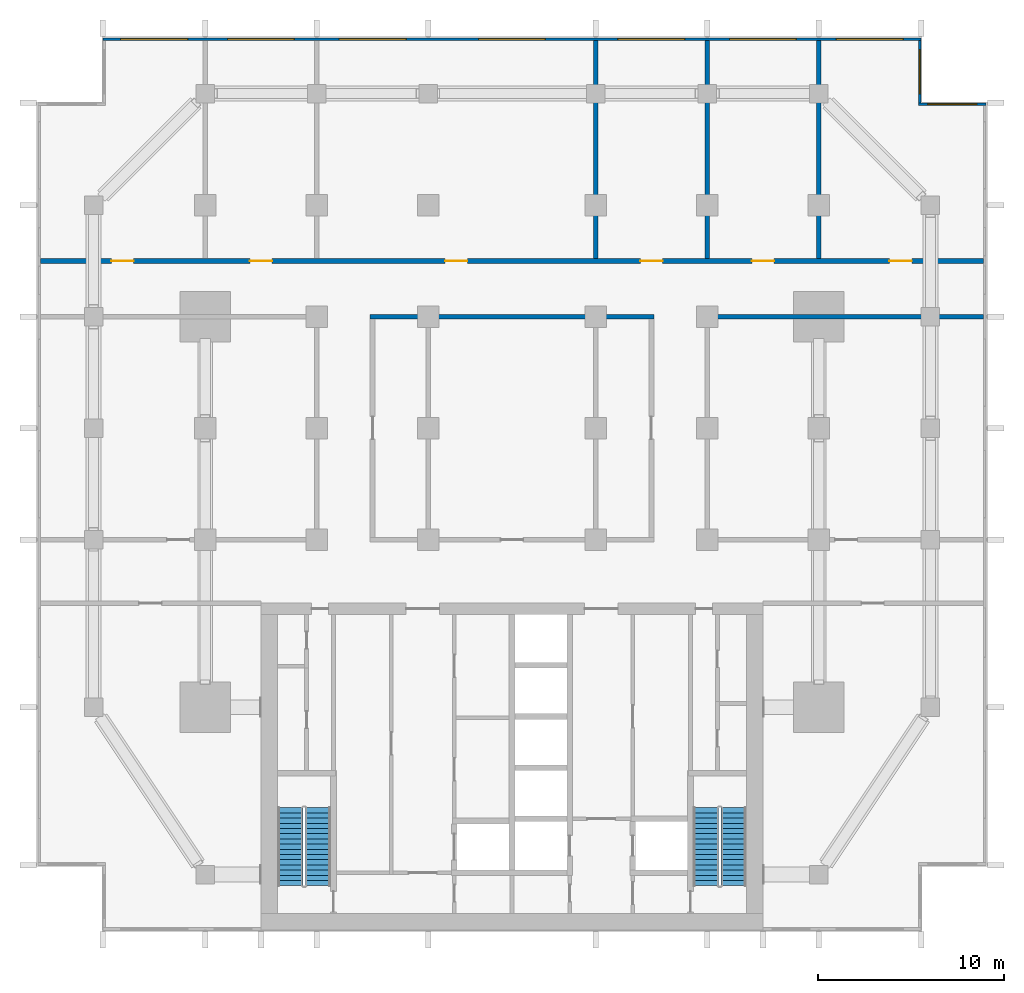
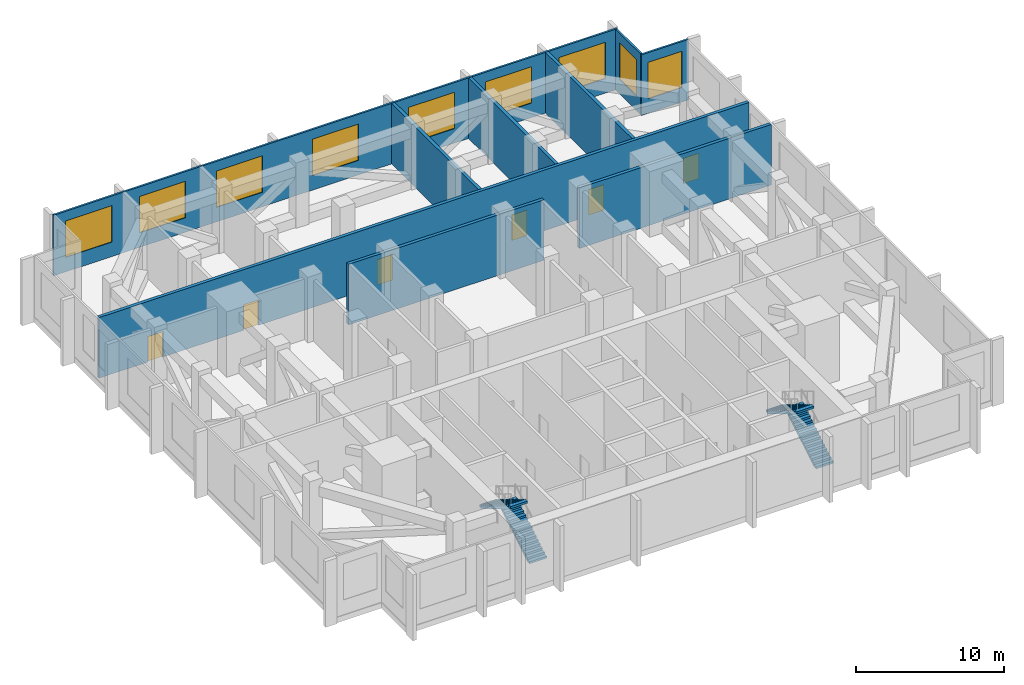
# One storey, part 5 of 12: 9 walls, 9 windows, 6 doors, 4 stair flights, 15 openings, 2 elements without a shape of their own.
"""IFC4 building model written with IfcOpenShell, lengths in metres."""

from ifc_helpers import new_model, si_unit, direction, frame, frame_2d, origin, place, context, subcontext, project, spatial, polyline, rectangle, outline, extrude, material, layer, layer_set, type_object, element, fill, aggregate, save


model = new_model("IFC4")

# Units and contexts
model_context = context("Model", 3, precision=1e-05, world=origin(), true_north=direction((0.0, 1.0)))
body_context = subcontext(model_context, "Body", "Model", "MODEL_VIEW")
ifc_project = project(units=[si_unit("LENGTHUNIT", "METRE"), si_unit("AREAUNIT", "SQUARE_METRE"), si_unit("VOLUMEUNIT", "CUBIC_METRE"), si_unit("PLANEANGLEUNIT", "RADIAN"), si_unit("MASSUNIT", "GRAM", prefix="KILO")], contexts=[model_context])

# Site, building, storey
site_placement = place(None, origin())
site = spatial("IfcSite", under=ifc_project, at=site_placement, CompositionType="ELEMENT")
building_placement = place(site_placement, origin())
building = spatial("IfcBuilding", under=site, at=building_placement, Name="Finial Court Residences", CompositionType="ELEMENT")
storey_placement = place(building_placement, frame((0.0, 0.0, 143.89990234375)))
storey = spatial("IfcBuildingStorey", under=building, at=storey_placement, Name="L35", CompositionType="ELEMENT", Elevation=143.89990234375)

# Walls
ifc_material_1 = material(Name="Fire-rated board")
ifc_layer_1 = layer(ifc_material_1, 0.050048828125)
ifc_material_2 = material(Name="Mineral wool in double frame")
ifc_layer_2 = layer(ifc_material_2, 0.14990234375)
ifc_layer_3 = layer(ifc_material_1, 0.050048828125)
ifc_layer_set_1 = layer_set([ifc_layer_1, ifc_layer_2, ifc_layer_3], Name="Plant room wall 250, 2 hour")
wall_type_1 = type_object("IfcWallType", Name="Plant room wall 250, 2 hour", PredefinedType="PARTITIONING", material=ifc_layer_set_1)
wall_1_placement = place(storey_placement, frame((-7.625, 7.5, 0.0), z_axis=(0.0, 0.0, 1.0), x_axis=(1.0, 0.0, 0.0)))
element("IfcWall", 1, at=wall_1_placement, inside=storey, type_object=wall_type_1, Name="Partition L35-006", PredefinedType="PARTITIONING", context=body_context, shape_type="SweptSolid", body=[
    extrude(rectangle(XDim=15.25, YDim=0.25, at=frame_2d((7.625, 0.0))), origin(), (0.0, 0.0, 1.0), 5.0),
])
wall_2_placement = place(storey_placement, frame((10.375, 7.5, 0.0), z_axis=(0.0, 0.0, 1.0), x_axis=(1.0, 0.0, 0.0)))
element("IfcWall", 2, at=wall_2_placement, inside=storey, type_object=wall_type_1, Name="Partition L35-007", PredefinedType="PARTITIONING", context=body_context, shape_type="SweptSolid", body=[
    extrude(rectangle(XDim=14.97509765625, YDim=0.25, at=frame_2d((7.487548828125, 0.0))), origin(), (0.0, 0.0, 1.0), 5.0),
])

# Wall, openings, doors
wall_3_placement = place(storey_placement, frame((-25.35009765625, 10.5, 0.0), z_axis=(0.0, 0.0, 1.0), x_axis=(1.0, 0.0, 0.0)))
wall_3 = element("IfcWall", 3, at=wall_3_placement, inside=storey, type_object=wall_type_1, Name="Partition L35-008", PredefinedType="PARTITIONING", context=body_context, shape_type="SweptSolid", body=[
    extrude(rectangle(XDim=50.7001953125, YDim=0.25, at=frame_2d((25.35009765625, 0.0))), origin(), (0.0, 0.0, 1.0), 5.0),
])
opening_1_placement = place(wall_3_placement, frame((3.800048828125, 0.0, 0.0)))
opening_1 = element("IfcOpeningElement", 4, at=opening_1_placement, cuts=wall_3, Name="Opening L35-D006", PredefinedType="OPENING", context=body_context, shape_type="SweptSolid", body=[
    extrude(rectangle(XDim=1.199951171875, YDim=2.10009765625, at=frame_2d((0.60009765625, 1.050048828125))), frame((0.0, 0.135009765625, 0.0), z_axis=(0.0, -1.0, 0.0), x_axis=(1.0, 0.0, 0.0)), (0.0, 0.0, 1.0), 0.27001953125),
])
opening_2_placement = place(wall_3_placement, frame((11.25, 0.0, 0.0)))
opening_2 = element("IfcOpeningElement", 5, at=opening_2_placement, cuts=wall_3, Name="Opening L35-D007", PredefinedType="OPENING", context=body_context, shape_type="SweptSolid", body=[
    extrude(rectangle(XDim=1.199951171875, YDim=2.10009765625, at=frame_2d((0.60009765625, 1.050048828125))), frame((0.0, 0.135009765625, 0.0), z_axis=(0.0, -1.0, 0.0), x_axis=(1.0, 0.0, 0.0)), (0.0, 0.0, 1.0), 0.27001953125),
])
opening_3_placement = place(wall_3_placement, frame((21.75, 0.0, 0.0)))
opening_3 = element("IfcOpeningElement", 6, at=opening_3_placement, cuts=wall_3, Name="Opening L35-D008", PredefinedType="OPENING", context=body_context, shape_type="SweptSolid", body=[
    extrude(rectangle(XDim=1.199951171875, YDim=2.10009765625, at=frame_2d((0.60009765625, 1.050048828125))), frame((0.0, 0.135009765625, 0.0), z_axis=(0.0, -1.0, 0.0), x_axis=(1.0, 0.0, 0.0)), (0.0, 0.0, 1.0), 0.27001953125),
])
opening_4_placement = place(wall_3_placement, frame((32.25, 0.0, 0.0)))
opening_4 = element("IfcOpeningElement", 7, at=opening_4_placement, cuts=wall_3, Name="Opening L35-D009", PredefinedType="OPENING", context=body_context, shape_type="SweptSolid", body=[
    extrude(rectangle(XDim=1.199951171875, YDim=2.10009765625, at=frame_2d((0.60009765625, 1.050048828125))), frame((0.0, 0.135009765625, 0.0), z_axis=(0.0, -1.0, 0.0), x_axis=(1.0, 0.0, 0.0)), (0.0, 0.0, 1.0), 0.27001953125),
])
opening_5_placement = place(wall_3_placement, frame((38.25, 0.0, 0.0)))
opening_5 = element("IfcOpeningElement", 8, at=opening_5_placement, cuts=wall_3, Name="Opening L35-D010", PredefinedType="OPENING", context=body_context, shape_type="SweptSolid", body=[
    extrude(rectangle(XDim=1.199951171875, YDim=2.10009765625, at=frame_2d((0.60009765625, 1.050048828125))), frame((0.0, 0.135009765625, 0.0), z_axis=(0.0, -1.0, 0.0), x_axis=(1.0, 0.0, 0.0)), (0.0, 0.0, 1.0), 0.27001953125),
])
opening_6_placement = place(wall_3_placement, frame((45.64990234375, 0.0, 0.0)))
opening_6 = element("IfcOpeningElement", 9, at=opening_6_placement, cuts=wall_3, Name="Opening L35-D011", PredefinedType="OPENING", context=body_context, shape_type="SweptSolid", body=[
    extrude(rectangle(XDim=1.199951171875, YDim=2.10009765625, at=frame_2d((0.60009765625, 1.050048828125))), frame((0.0, 0.135009765625, 0.0), z_axis=(0.0, -1.0, 0.0), x_axis=(1.0, 0.0, 0.0)), (0.0, 0.0, 1.0), 0.27001953125),
])
ifc_material_3 = material(Name="Timber door leaf in hollow metal frame", Category="wood")
door_type = type_object("IfcDoorType", Name="Fire door set 1200 x 2100, 60 minutes", OperationType="SINGLE_SWING_LEFT", PredefinedType="DOOR", material=ifc_material_3)
door_1_placement = place(opening_1_placement, origin())
door_1 = element("IfcDoor", 10, at=door_1_placement, inside=storey, type_object=door_type, Name="Door L35-D006", OperationType="SINGLE_SWING_LEFT", OverallHeight=2.10009765625, OverallWidth=1.199951171875, PredefinedType="DOOR", context=body_context, shape_type="SweptSolid", body=[
    extrude(rectangle(XDim=1.199951171875, YDim=2.10009765625, at=frame_2d((0.60009765625, 1.050048828125))), frame((0.0, 0.02490234375, 0.0), z_axis=(0.0, -1.0, 0.0), x_axis=(1.0, 0.0, 0.0)), (0.0, 0.0, 1.0), 0.050048828125),
])
fill(opening_1, door_1)
door_2_placement = place(opening_2_placement, origin())
door_2 = element("IfcDoor", 11, at=door_2_placement, inside=storey, type_object=door_type, Name="Door L35-D007", OperationType="SINGLE_SWING_RIGHT", OverallHeight=2.10009765625, OverallWidth=1.199951171875, PredefinedType="DOOR", context=body_context, shape_type="SweptSolid", body=[
    extrude(rectangle(XDim=1.199951171875, YDim=2.10009765625, at=frame_2d((0.60009765625, 1.050048828125))), frame((0.0, 0.02490234375, 0.0), z_axis=(0.0, -1.0, 0.0), x_axis=(1.0, 0.0, 0.0)), (0.0, 0.0, 1.0), 0.050048828125),
])
fill(opening_2, door_2)
door_3_placement = place(opening_3_placement, origin())
door_3 = element("IfcDoor", 12, at=door_3_placement, inside=storey, type_object=door_type, Name="Door L35-D008", OperationType="SINGLE_SWING_RIGHT", OverallHeight=2.10009765625, OverallWidth=1.199951171875, PredefinedType="DOOR", context=body_context, shape_type="SweptSolid", body=[
    extrude(rectangle(XDim=1.199951171875, YDim=2.10009765625, at=frame_2d((0.60009765625, 1.050048828125))), frame((0.0, 0.02490234375, 0.0), z_axis=(0.0, -1.0, 0.0), x_axis=(1.0, 0.0, 0.0)), (0.0, 0.0, 1.0), 0.050048828125),
])
fill(opening_3, door_3)
door_4_placement = place(opening_4_placement, origin())
door_4 = element("IfcDoor", 13, at=door_4_placement, inside=storey, type_object=door_type, Name="Door L35-D009", OperationType="SINGLE_SWING_LEFT", OverallHeight=2.10009765625, OverallWidth=1.199951171875, PredefinedType="DOOR", context=body_context, shape_type="SweptSolid", body=[
    extrude(rectangle(XDim=1.199951171875, YDim=2.10009765625, at=frame_2d((0.60009765625, 1.050048828125))), frame((0.0, 0.02490234375, 0.0), z_axis=(0.0, -1.0, 0.0), x_axis=(1.0, 0.0, 0.0)), (0.0, 0.0, 1.0), 0.050048828125),
])
fill(opening_4, door_4)
door_5_placement = place(opening_5_placement, origin())
door_5 = element("IfcDoor", 14, at=door_5_placement, inside=storey, type_object=door_type, Name="Door L35-D010", OperationType="SINGLE_SWING_LEFT", OverallHeight=2.10009765625, OverallWidth=1.199951171875, PredefinedType="DOOR", context=body_context, shape_type="SweptSolid", body=[
    extrude(rectangle(XDim=1.199951171875, YDim=2.10009765625, at=frame_2d((0.60009765625, 1.050048828125))), frame((0.0, 0.02490234375, 0.0), z_axis=(0.0, -1.0, 0.0), x_axis=(1.0, 0.0, 0.0)), (0.0, 0.0, 1.0), 0.050048828125),
])
fill(opening_5, door_5)
door_6_placement = place(opening_6_placement, origin())
door_6 = element("IfcDoor", 15, at=door_6_placement, inside=storey, type_object=door_type, Name="Door L35-D011", OperationType="SINGLE_SWING_RIGHT", OverallHeight=2.10009765625, OverallWidth=1.199951171875, PredefinedType="DOOR", context=body_context, shape_type="SweptSolid", body=[
    extrude(rectangle(XDim=1.199951171875, YDim=2.10009765625, at=frame_2d((0.60009765625, 1.050048828125))), frame((0.0, 0.02490234375, 0.0), z_axis=(0.0, -1.0, 0.0), x_axis=(1.0, 0.0, 0.0)), (0.0, 0.0, 1.0), 0.050048828125),
])
fill(opening_6, door_6)

# Walls
for number, where, z_axis, x_axis, name in (
    (16, (4.5, 10.625, 0.0), (0.0, 0.0, 1.0), (0.0, 1.0, 0.0), "Partition L35-015"),
    (17, (10.5, 10.625, 0.0), (0.0, 0.0, 1.0), (0.0, 1.0, 0.0), "Partition L35-018"),
    (18, (16.5, 10.625, 0.0), (0.0, 0.0, 1.0), (0.0, 1.0, 0.0), "Partition L35-019"),
):
    element("IfcWall", number, at=place(storey_placement, frame(where, z_axis=z_axis, x_axis=x_axis)), inside=storey, type_object=wall_type_1, Name=name, PredefinedType="PARTITIONING", context=body_context, shape_type="SweptSolid", body=[
        extrude(rectangle(XDim=11.72509765625, YDim=0.25, at=frame_2d((5.862548828125, 0.0))), origin(), (0.0, 0.0, 1.0), 5.0),
    ])

# Wall, openings, windows
ifc_material_4 = material(Name="Natural limestone", Category="masonry")
ifc_layer_4 = layer(ifc_material_4, 0.14990234375)
ifc_layer_set_2 = layer_set([ifc_layer_4], Name="Plant storey wall, limestone clad 150")
wall_type_2 = type_object("IfcWallType", Name="Plant storey wall, limestone clad 150", PredefinedType="SOLIDWALL", material=ifc_layer_set_2)
wall_4_placement = place(storey_placement, frame((-22.0, 22.425048828125, 0.0), z_axis=(0.0, 0.0, 1.0), x_axis=(1.0, 0.0, 0.0)))
wall_4 = element("IfcWall", 19, at=wall_4_placement, inside=storey, type_object=wall_type_2, Name="E-L35-PWN1", PredefinedType="SOLIDWALL", context=body_context, shape_type="SweptSolid", body=[
    extrude(rectangle(XDim=44.0, YDim=0.14990234375, at=frame_2d((22.0, 0.0))), origin(), (0.0, 0.0, 1.0), 5.0),
])
opening_7_placement = place(wall_4_placement, frame((0.949951171875, 0.0, 1.199951171875)))
opening_7 = element("IfcOpeningElement", 20, at=opening_7_placement, cuts=wall_4, Name="Opening WE35-01", PredefinedType="OPENING", context=body_context, shape_type="SweptSolid", body=[
    extrude(rectangle(XDim=3.60009765625, YDim=3.0, at=frame_2d((1.800048828125, 1.5))), frame((0.0, 0.0849609375, 0.0), z_axis=(0.0, -1.0, 0.0), x_axis=(1.0, 0.0, 0.0)), (0.0, 0.0, 1.0), 0.169921875),
])
opening_8_placement = place(wall_4_placement, frame((6.699951171875, 0.0, 1.199951171875)))
opening_8 = element("IfcOpeningElement", 21, at=opening_8_placement, cuts=wall_4, Name="Opening WE35-02", PredefinedType="OPENING", context=body_context, shape_type="SweptSolid", body=[
    extrude(rectangle(XDim=3.60009765625, YDim=3.0, at=frame_2d((1.800048828125, 1.5))), frame((0.0, 0.0849609375, 0.0), z_axis=(0.0, -1.0, 0.0), x_axis=(1.0, 0.0, 0.0)), (0.0, 0.0, 1.0), 0.169921875),
])
opening_9_placement = place(wall_4_placement, frame((12.699951171875, 0.0, 1.199951171875)))
opening_9 = element("IfcOpeningElement", 22, at=opening_9_placement, cuts=wall_4, Name="Opening WE35-03", PredefinedType="OPENING", context=body_context, shape_type="SweptSolid", body=[
    extrude(rectangle(XDim=3.60009765625, YDim=3.0, at=frame_2d((1.800048828125, 1.5))), frame((0.0, 0.0849609375, 0.0), z_axis=(0.0, -1.0, 0.0), x_axis=(1.0, 0.0, 0.0)), (0.0, 0.0, 1.0), 0.169921875),
])
opening_10_placement = place(wall_4_placement, frame((20.199951171875, 0.0, 1.199951171875)))
opening_10 = element("IfcOpeningElement", 23, at=opening_10_placement, cuts=wall_4, Name="Opening WE35-04", PredefinedType="OPENING", context=body_context, shape_type="SweptSolid", body=[
    extrude(rectangle(XDim=3.60009765625, YDim=3.0, at=frame_2d((1.800048828125, 1.5))), frame((0.0, 0.0849609375, 0.0), z_axis=(0.0, -1.0, 0.0), x_axis=(1.0, 0.0, 0.0)), (0.0, 0.0, 1.0), 0.169921875),
])
opening_11_placement = place(wall_4_placement, frame((27.699951171875, 0.0, 1.199951171875)))
opening_11 = element("IfcOpeningElement", 24, at=opening_11_placement, cuts=wall_4, Name="Opening WE35-05", PredefinedType="OPENING", context=body_context, shape_type="SweptSolid", body=[
    extrude(rectangle(XDim=3.60009765625, YDim=3.0, at=frame_2d((1.800048828125, 1.5))), frame((0.0, 0.0849609375, 0.0), z_axis=(0.0, -1.0, 0.0), x_axis=(1.0, 0.0, 0.0)), (0.0, 0.0, 1.0), 0.169921875),
])
opening_12_placement = place(wall_4_placement, frame((33.699951171875, 0.0, 1.199951171875)))
opening_12 = element("IfcOpeningElement", 25, at=opening_12_placement, cuts=wall_4, Name="Opening WE35-06", PredefinedType="OPENING", context=body_context, shape_type="SweptSolid", body=[
    extrude(rectangle(XDim=3.60009765625, YDim=3.0, at=frame_2d((1.800048828125, 1.5))), frame((0.0, 0.0849609375, 0.0), z_axis=(0.0, -1.0, 0.0), x_axis=(1.0, 0.0, 0.0)), (0.0, 0.0, 1.0), 0.169921875),
])
opening_13_placement = place(wall_4_placement, frame((39.449951171875, 0.0, 1.199951171875)))
opening_13 = element("IfcOpeningElement", 26, at=opening_13_placement, cuts=wall_4, Name="Opening WE35-07", PredefinedType="OPENING", context=body_context, shape_type="SweptSolid", body=[
    extrude(rectangle(XDim=3.60009765625, YDim=3.0, at=frame_2d((1.800048828125, 1.5))), frame((0.0, 0.0849609375, 0.0), z_axis=(0.0, -1.0, 0.0), x_axis=(1.0, 0.0, 0.0)), (0.0, 0.0, 1.0), 0.169921875),
])
ifc_material_5 = material(Name="Bronze anodised aluminium", Category="aluminium")
window_type_1 = type_object("IfcWindowType", Name="Plant louvre 3600 x 3000", PartitioningType="SINGLE_PANEL", PredefinedType="WINDOW", material=ifc_material_5)
window_1_placement = place(opening_7_placement, origin())
window_1 = element("IfcWindow", 27, at=window_1_placement, inside=storey, type_object=window_type_1, Name="E-L35-PWN1-W1", OverallHeight=3.0, OverallWidth=3.60009765625, PartitioningType="SINGLE_PANEL", PredefinedType="WINDOW", context=body_context, shape_type="SweptSolid", body=[
    extrude(rectangle(XDim=3.60009765625, YDim=3.0, at=frame_2d((1.800048828125, 1.5))), frame((0.0, 0.030029296875, 0.0), z_axis=(0.0, -1.0, 0.0), x_axis=(1.0, 0.0, 0.0)), (0.0, 0.0, 1.0), 0.06005859375),
])
fill(opening_7, window_1)
window_2_placement = place(opening_8_placement, origin())
window_2 = element("IfcWindow", 28, at=window_2_placement, inside=storey, type_object=window_type_1, Name="E-L35-PWN1-W2", OverallHeight=3.0, OverallWidth=3.60009765625, PartitioningType="SINGLE_PANEL", PredefinedType="WINDOW", context=body_context, shape_type="SweptSolid", body=[
    extrude(rectangle(XDim=3.60009765625, YDim=3.0, at=frame_2d((1.800048828125, 1.5))), frame((0.0, 0.030029296875, 0.0), z_axis=(0.0, -1.0, 0.0), x_axis=(1.0, 0.0, 0.0)), (0.0, 0.0, 1.0), 0.06005859375),
])
fill(opening_8, window_2)
window_3_placement = place(opening_9_placement, origin())
window_3 = element("IfcWindow", 29, at=window_3_placement, inside=storey, type_object=window_type_1, Name="E-L35-PWN1-W3", OverallHeight=3.0, OverallWidth=3.60009765625, PartitioningType="SINGLE_PANEL", PredefinedType="WINDOW", context=body_context, shape_type="SweptSolid", body=[
    extrude(rectangle(XDim=3.60009765625, YDim=3.0, at=frame_2d((1.800048828125, 1.5))), frame((0.0, 0.030029296875, 0.0), z_axis=(0.0, -1.0, 0.0), x_axis=(1.0, 0.0, 0.0)), (0.0, 0.0, 1.0), 0.06005859375),
])
fill(opening_9, window_3)
window_4_placement = place(opening_10_placement, origin())
window_4 = element("IfcWindow", 30, at=window_4_placement, inside=storey, type_object=window_type_1, Name="E-L35-PWN1-W4", OverallHeight=3.0, OverallWidth=3.60009765625, PartitioningType="SINGLE_PANEL", PredefinedType="WINDOW", context=body_context, shape_type="SweptSolid", body=[
    extrude(rectangle(XDim=3.60009765625, YDim=3.0, at=frame_2d((1.800048828125, 1.5))), frame((0.0, 0.030029296875, 0.0), z_axis=(0.0, -1.0, 0.0), x_axis=(1.0, 0.0, 0.0)), (0.0, 0.0, 1.0), 0.06005859375),
])
fill(opening_10, window_4)
window_5_placement = place(opening_11_placement, origin())
window_5 = element("IfcWindow", 31, at=window_5_placement, inside=storey, type_object=window_type_1, Name="E-L35-PWN1-W5", OverallHeight=3.0, OverallWidth=3.60009765625, PartitioningType="SINGLE_PANEL", PredefinedType="WINDOW", context=body_context, shape_type="SweptSolid", body=[
    extrude(rectangle(XDim=3.60009765625, YDim=3.0, at=frame_2d((1.800048828125, 1.5))), frame((0.0, 0.030029296875, 0.0), z_axis=(0.0, -1.0, 0.0), x_axis=(1.0, 0.0, 0.0)), (0.0, 0.0, 1.0), 0.06005859375),
])
fill(opening_11, window_5)
window_6_placement = place(opening_12_placement, origin())
window_6 = element("IfcWindow", 32, at=window_6_placement, inside=storey, type_object=window_type_1, Name="E-L35-PWN1-W6", OverallHeight=3.0, OverallWidth=3.60009765625, PartitioningType="SINGLE_PANEL", PredefinedType="WINDOW", context=body_context, shape_type="SweptSolid", body=[
    extrude(rectangle(XDim=3.60009765625, YDim=3.0, at=frame_2d((1.800048828125, 1.5))), frame((0.0, 0.030029296875, 0.0), z_axis=(0.0, -1.0, 0.0), x_axis=(1.0, 0.0, 0.0)), (0.0, 0.0, 1.0), 0.06005859375),
])
fill(opening_12, window_6)
window_7_placement = place(opening_13_placement, origin())
window_7 = element("IfcWindow", 33, at=window_7_placement, inside=storey, type_object=window_type_1, Name="E-L35-PWN1-W7", OverallHeight=3.0, OverallWidth=3.60009765625, PartitioningType="SINGLE_PANEL", PredefinedType="WINDOW", context=body_context, shape_type="SweptSolid", body=[
    extrude(rectangle(XDim=3.60009765625, YDim=3.0, at=frame_2d((1.800048828125, 1.5))), frame((0.0, 0.030029296875, 0.0), z_axis=(0.0, -1.0, 0.0), x_axis=(1.0, 0.0, 0.0)), (0.0, 0.0, 1.0), 0.06005859375),
])
fill(opening_13, window_7)

# Wall, opening, window
wall_5_placement = place(storey_placement, frame((21.925048828125, 22.35009765625, 0.0), z_axis=(0.0, 0.0, 1.0), x_axis=(0.0, -1.0, 0.0)))
wall_5 = element("IfcWall", 34, at=wall_5_placement, inside=storey, type_object=wall_type_2, Name="E-L35-PWE12", PredefinedType="SOLIDWALL", context=body_context, shape_type="SweptSolid", body=[
    extrude(rectangle(XDim=3.35009765625, YDim=0.14990234375, at=frame_2d((1.675048828125, 0.0))), origin(), (0.0, 0.0, 1.0), 5.0),
])
opening_14_placement = place(wall_5_placement, frame((0.5, 0.0, 1.199951171875)))
opening_14 = element("IfcOpeningElement", 35, at=opening_14_placement, cuts=wall_5, Name="Opening WE35-32", PredefinedType="OPENING", context=body_context, shape_type="SweptSolid", body=[
    extrude(rectangle(XDim=2.35009765625, YDim=3.0, at=frame_2d((1.175048828125, 1.5))), frame((0.0, 0.0849609375, 0.0), z_axis=(0.0, -1.0, 0.0), x_axis=(1.0, 0.0, 0.0)), (0.0, 0.0, 1.0), 0.169921875),
])
window_type_2 = type_object("IfcWindowType", Name="Plant louvre 2350 x 3000", PartitioningType="SINGLE_PANEL", PredefinedType="WINDOW", material=ifc_material_5)
window_8_placement = place(opening_14_placement, origin())
window_8 = element("IfcWindow", 36, at=window_8_placement, inside=storey, type_object=window_type_2, Name="E-L35-PWE12-W1", OverallHeight=3.0, OverallWidth=2.35009765625, PartitioningType="SINGLE_PANEL", PredefinedType="WINDOW", context=body_context, shape_type="SweptSolid", body=[
    extrude(rectangle(XDim=2.35009765625, YDim=3.0, at=frame_2d((1.175048828125, 1.5))), frame((0.0, 0.030029296875, 0.0), z_axis=(0.0, -1.0, 0.0), x_axis=(1.0, 0.0, 0.0)), (0.0, 0.0, 1.0), 0.06005859375),
])
fill(opening_14, window_8)

wall_6_placement = place(storey_placement, frame((21.85009765625, 18.925048828125, 0.0), z_axis=(0.0, 0.0, 1.0), x_axis=(1.0, 0.0, 0.0)))
wall_6 = element("IfcWall", 37, at=wall_6_placement, inside=storey, type_object=wall_type_2, Name="E-L35-PWN13", PredefinedType="SOLIDWALL", context=body_context, shape_type="SweptSolid", body=[
    extrude(rectangle(XDim=3.64990234375, YDim=0.14990234375, at=frame_2d((1.824951171875, 0.0))), origin(), (0.0, 0.0, 1.0), 5.0),
])
opening_15_placement = place(wall_6_placement, frame((0.5, 0.0, 1.199951171875)))
opening_15 = element("IfcOpeningElement", 38, at=opening_15_placement, cuts=wall_6, Name="Opening WE35-33", PredefinedType="OPENING", context=body_context, shape_type="SweptSolid", body=[
    extrude(rectangle(XDim=2.64990234375, YDim=3.0, at=frame_2d((1.324951171875, 1.5))), frame((0.0, 0.0849609375, 0.0), z_axis=(0.0, -1.0, 0.0), x_axis=(1.0, 0.0, 0.0)), (0.0, 0.0, 1.0), 0.169921875),
])
window_type_3 = type_object("IfcWindowType", Name="Plant louvre 2650 x 3000", PartitioningType="SINGLE_PANEL", PredefinedType="WINDOW", material=ifc_material_5)
window_9_placement = place(opening_15_placement, origin())
window_9 = element("IfcWindow", 39, at=window_9_placement, inside=storey, type_object=window_type_3, Name="E-L35-PWN13-W1", OverallHeight=3.0, OverallWidth=2.64990234375, PartitioningType="SINGLE_PANEL", PredefinedType="WINDOW", context=body_context, shape_type="SweptSolid", body=[
    extrude(rectangle(XDim=2.64990234375, YDim=3.0, at=frame_2d((1.324951171875, 1.5))), frame((0.0, 0.030029296875, 0.0), z_axis=(0.0, -1.0, 0.0), x_axis=(1.0, 0.0, 0.0)), (0.0, 0.0, 1.0), 0.06005859375),
])
fill(opening_15, window_9)

# Stair, stair flights
ifc_material_6 = material(Name="Concrete C50/60", Category="concrete")
stair_type = type_object("IfcStairType", Name="Exit stair 32 risers of 168.8 mm", PredefinedType="HALF_TURN_STAIR", material=ifc_material_6)
stair_1_placement = place(storey_placement, origin())
stair_1 = element("IfcStair", 40, at=stair_1_placement, inside=storey, type_object=stair_type, Name="L35 Exit stair ST-1", PredefinedType="HALF_TURN_STAIR")
stair_flight_type = type_object("IfcStairFlightType", Name="Exit stair flight", PredefinedType="STRAIGHT", material=ifc_material_6)
stair_flight_1_placement = place(storey_placement, frame((-10.425048828125, -23.10009765625, 0.0), z_axis=(0.0, 0.0, 1.0), x_axis=(0.0, 1.0, 0.0)))
stair_flight_1 = element("IfcStairFlight", 41, at=stair_flight_1_placement, type_object=stair_flight_type, Name="ST-1 flight 1", NumberOfRisers=16, NumberOfTreads=15, PredefinedType="STRAIGHT", RiserHeight=0.16875, TreadLength=0.28, context=body_context, shape_type="SweptSolid", body=[
    extrude(outline(polyline([(0.0, 0.0), (0.0, 0.168701171875), (0.280029296875, 0.168701171875), (0.280029296875, 0.33740234375), (0.56005859375, 0.33740234375), (0.56005859375, 0.50634765625), (0.840087890625, 0.50634765625), (0.840087890625, 0.675048828125), (1.1201171875, 0.675048828125), (1.1201171875, 0.84375), (1.39990234375, 0.84375), (1.39990234375, 1.012451171875), (1.679931640625, 1.012451171875), (1.679931640625, 1.18115234375), (1.9599609375, 1.18115234375), (1.9599609375, 1.35009765625), (2.239990234375, 1.35009765625), (2.239990234375, 1.518798828125), (2.52001953125, 1.518798828125), (2.52001953125, 1.6875), (2.800048828125, 1.6875), (2.800048828125, 1.856201171875), (3.080078125, 1.856201171875), (3.080078125, 2.02490234375), (3.360107421875, 2.02490234375), (3.360107421875, 2.19384765625), (3.639892578125, 2.19384765625), (3.639892578125, 2.362548828125), (3.919921875, 2.362548828125), (3.919921875, 2.53125), (4.199951171875, 2.53125), (4.199951171875, 2.699951171875), (4.199951171875, 2.356201171875), (0.29052734375, 0.0), (0.0, 0.0)])), frame((0.0, 0.675048828125, 0.0), z_axis=(0.0, -1.0, 0.0), x_axis=(1.0, 0.0, 0.0)), (0.0, 0.0, 1.0), 1.35009765625),
])
stair_flight_2_placement = place(storey_placement, frame((-11.925048828125, -18.89990234375, 2.7001953125), z_axis=(0.0, 0.0, 1.0), x_axis=(0.0, -1.0, 0.0)))
stair_flight_2 = element("IfcStairFlight", 42, at=stair_flight_2_placement, type_object=stair_flight_type, Name="ST-1 flight 2", NumberOfRisers=16, NumberOfTreads=15, PredefinedType="STRAIGHT", RiserHeight=0.16875, TreadLength=0.28, context=body_context, shape_type="SweptSolid", body=[
    extrude(outline(polyline([(0.0, 0.0), (0.0, 0.168701171875), (0.280029296875, 0.168701171875), (0.280029296875, 0.33740234375), (0.56005859375, 0.33740234375), (0.56005859375, 0.50634765625), (0.840087890625, 0.50634765625), (0.840087890625, 0.675048828125), (1.1201171875, 0.675048828125), (1.1201171875, 0.84375), (1.39990234375, 0.84375), (1.39990234375, 1.012451171875), (1.679931640625, 1.012451171875), (1.679931640625, 1.18115234375), (1.9599609375, 1.18115234375), (1.9599609375, 1.35009765625), (2.239990234375, 1.35009765625), (2.239990234375, 1.518798828125), (2.52001953125, 1.518798828125), (2.52001953125, 1.6875), (2.800048828125, 1.6875), (2.800048828125, 1.856201171875), (3.080078125, 1.856201171875), (3.080078125, 2.02490234375), (3.360107421875, 2.02490234375), (3.360107421875, 2.19384765625), (3.639892578125, 2.19384765625), (3.639892578125, 2.362548828125), (3.919921875, 2.362548828125), (3.919921875, 2.53125), (4.199951171875, 2.53125), (4.199951171875, 2.699951171875), (4.199951171875, 2.356201171875), (0.29052734375, 0.0), (0.0, 0.0)])), frame((0.0, 0.675048828125, 0.0), z_axis=(0.0, -1.0, 0.0), x_axis=(1.0, 0.0, 0.0)), (0.0, 0.0, 1.0), 1.35009765625),
])
aggregate(stair_1, [stair_flight_1, stair_flight_2])

stair_2_placement = place(storey_placement, origin())
stair_2 = element("IfcStair", 43, at=stair_2_placement, inside=storey, type_object=stair_type, Name="L35 Exit stair ST-2", PredefinedType="HALF_TURN_STAIR")
stair_flight_3_placement = place(storey_placement, frame((11.925048828125, -23.10009765625, 0.0), z_axis=(0.0, 0.0, 1.0), x_axis=(0.0, 1.0, 0.0)))
stair_flight_3 = element("IfcStairFlight", 44, at=stair_flight_3_placement, type_object=stair_flight_type, Name="ST-2 flight 1", NumberOfRisers=16, NumberOfTreads=15, PredefinedType="STRAIGHT", RiserHeight=0.16875, TreadLength=0.28, context=body_context, shape_type="SweptSolid", body=[
    extrude(outline(polyline([(0.0, 0.0), (0.0, 0.168701171875), (0.280029296875, 0.168701171875), (0.280029296875, 0.33740234375), (0.56005859375, 0.33740234375), (0.56005859375, 0.50634765625), (0.840087890625, 0.50634765625), (0.840087890625, 0.675048828125), (1.1201171875, 0.675048828125), (1.1201171875, 0.84375), (1.39990234375, 0.84375), (1.39990234375, 1.012451171875), (1.679931640625, 1.012451171875), (1.679931640625, 1.18115234375), (1.9599609375, 1.18115234375), (1.9599609375, 1.35009765625), (2.239990234375, 1.35009765625), (2.239990234375, 1.518798828125), (2.52001953125, 1.518798828125), (2.52001953125, 1.6875), (2.800048828125, 1.6875), (2.800048828125, 1.856201171875), (3.080078125, 1.856201171875), (3.080078125, 2.02490234375), (3.360107421875, 2.02490234375), (3.360107421875, 2.19384765625), (3.639892578125, 2.19384765625), (3.639892578125, 2.362548828125), (3.919921875, 2.362548828125), (3.919921875, 2.53125), (4.199951171875, 2.53125), (4.199951171875, 2.699951171875), (4.199951171875, 2.356201171875), (0.29052734375, 0.0), (0.0, 0.0)])), frame((0.0, 0.675048828125, 0.0), z_axis=(0.0, -1.0, 0.0), x_axis=(1.0, 0.0, 0.0)), (0.0, 0.0, 1.0), 1.35009765625),
])
stair_flight_4_placement = place(storey_placement, frame((10.425048828125, -18.89990234375, 2.7001953125), z_axis=(0.0, 0.0, 1.0), x_axis=(0.0, -1.0, 0.0)))
stair_flight_4 = element("IfcStairFlight", 45, at=stair_flight_4_placement, type_object=stair_flight_type, Name="ST-2 flight 2", NumberOfRisers=16, NumberOfTreads=15, PredefinedType="STRAIGHT", RiserHeight=0.16875, TreadLength=0.28, context=body_context, shape_type="SweptSolid", body=[
    extrude(outline(polyline([(0.0, 0.0), (0.0, 0.168701171875), (0.280029296875, 0.168701171875), (0.280029296875, 0.33740234375), (0.56005859375, 0.33740234375), (0.56005859375, 0.50634765625), (0.840087890625, 0.50634765625), (0.840087890625, 0.675048828125), (1.1201171875, 0.675048828125), (1.1201171875, 0.84375), (1.39990234375, 0.84375), (1.39990234375, 1.012451171875), (1.679931640625, 1.012451171875), (1.679931640625, 1.18115234375), (1.9599609375, 1.18115234375), (1.9599609375, 1.35009765625), (2.239990234375, 1.35009765625), (2.239990234375, 1.518798828125), (2.52001953125, 1.518798828125), (2.52001953125, 1.6875), (2.800048828125, 1.6875), (2.800048828125, 1.856201171875), (3.080078125, 1.856201171875), (3.080078125, 2.02490234375), (3.360107421875, 2.02490234375), (3.360107421875, 2.19384765625), (3.639892578125, 2.19384765625), (3.639892578125, 2.362548828125), (3.919921875, 2.362548828125), (3.919921875, 2.53125), (4.199951171875, 2.53125), (4.199951171875, 2.699951171875), (4.199951171875, 2.356201171875), (0.29052734375, 0.0), (0.0, 0.0)])), frame((0.0, 0.675048828125, 0.0), z_axis=(0.0, -1.0, 0.0), x_axis=(1.0, 0.0, 0.0)), (0.0, 0.0, 1.0), 1.35009765625),
])
aggregate(stair_2, [stair_flight_3, stair_flight_4])

save(model, "model.ifc")
